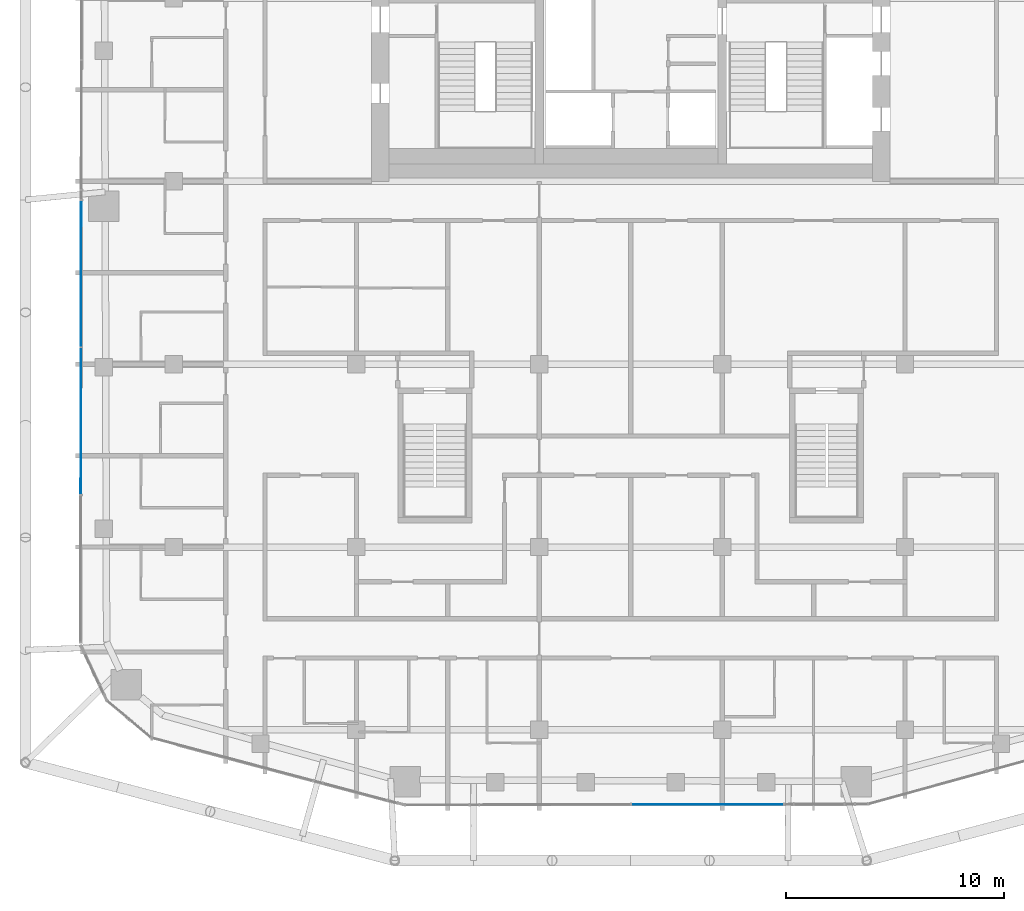
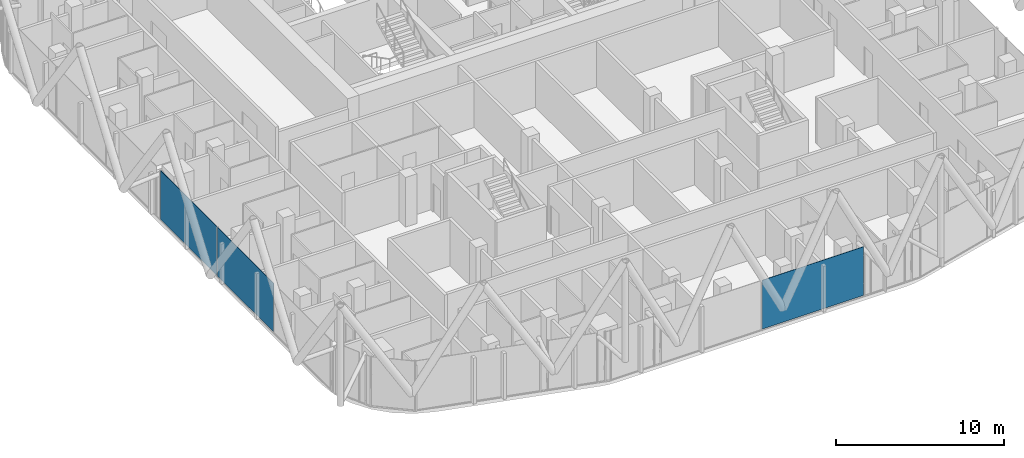
# One storey, part 15 of 31: 3 plates, 2 elements without a shape of their own.
"""IFC4 building model written with IfcOpenShell, lengths in metres."""

from ifc_helpers import new_model, si_unit, direction, frame, origin, origin_2d, place, context, subcontext, project, spatial, rectangle, extrude, material, layer, layer_set, type_object, element, aggregate, save


model = new_model("IFC4")

# Units and contexts
model_context = context("Model", 3, precision=1e-05, world=origin(), true_north=direction((0.0, 1.0)))
body_context = subcontext(model_context, "Body", "Model", "MODEL_VIEW")
ifc_project = project(units=[si_unit("LENGTHUNIT", "METRE"), si_unit("AREAUNIT", "SQUARE_METRE"), si_unit("VOLUMEUNIT", "CUBIC_METRE"), si_unit("PLANEANGLEUNIT", "RADIAN"), si_unit("MASSUNIT", "GRAM", prefix="KILO")], contexts=[model_context])

# Site, building, storey
site_placement = place(None, origin())
site = spatial("IfcSite", under=ifc_project, at=site_placement, CompositionType="ELEMENT")
building_placement = place(site_placement, origin())
building = spatial("IfcBuilding", under=site, at=building_placement, Name="Marenta Gate Hotel Tower", CompositionType="ELEMENT")
storey_placement = place(building_placement, frame((0.0, 0.0, 191.300048828125)))
storey = spatial("IfcBuildingStorey", under=building, at=storey_placement, Name="L43", CompositionType="ELEMENT", Elevation=191.300048828125)

# Curtain wall, plates
ifc_material_1 = material(Name="Tinted insulated glass in bronze anodised frame", Category="glass")
ifc_layer_1 = layer(ifc_material_1, 0.1201171875)
ifc_layer_set_1 = layer_set([ifc_layer_1], Name="Tinted insulated glass in bronze anodised frame")
curtain_wall_type = type_object("IfcCurtainWallType", Name="Tower unitised curtain wall CW1", PredefinedType="NOTDEFINED", material=ifc_layer_set_1)
curtain_wall_1_placement = place(storey_placement, origin())
curtain_wall_1 = element("IfcCurtainWall", 1, at=curtain_wall_1_placement, inside=storey, type_object=curtain_wall_type, Name="CW1 run G08", PredefinedType="NOTDEFINED")
ifc_material_2 = material(Name="Tinted insulated glass", Category="glass")
ifc_layer_2 = layer(ifc_material_2, 0.028076171875)
ifc_layer_set_2 = layer_set([ifc_layer_2], Name="Tinted insulated glass")
plate_type = type_object("IfcPlateType", Name="Glass panel CW1 28 mm tinted insulated unit", PredefinedType="CURTAIN_PANEL", material=ifc_layer_set_2)
plate_1_placement = place(storey_placement, frame((-25.246337890625, -4.238525390625, 0.059814453125), z_axis=(0.0, 0.0, 1.0), x_axis=(-0.001564651623, -0.999998775932, 0.0)))
plate_1 = element("IfcPlate", 2, at=plate_1_placement, type_object=plate_type, Name="CW1 panel 1.1", PredefinedType="CURTAIN_PANEL", context=body_context, shape_type="SweptSolid", body=[
    extrude(rectangle(XDim=6.7060546875, YDim=0.028076171875, at=origin_2d()), origin(), (0.0, 0.0, 1.0), 3.5400390625),
])
plate_2_placement = place(storey_placement, frame((-25.2568359375, -11.01953125, 0.059814453125), z_axis=(0.0, 0.0, 1.0), x_axis=(-0.001564651623, -0.999998775932, 0.0)))
plate_2 = element("IfcPlate", 3, at=plate_2_placement, type_object=plate_type, Name="CW1 panel 2.1", PredefinedType="CURTAIN_PANEL", context=body_context, shape_type="SweptSolid", body=[
    extrude(rectangle(XDim=6.736083984375, YDim=0.028076171875, at=origin_2d()), origin(), (0.0, 0.0, 1.0), 3.5400390625),
])
aggregate(curtain_wall_1, [plate_1, plate_2])

# Curtain wall, plate
curtain_wall_2_placement = place(storey_placement, origin())
curtain_wall_2 = element("IfcCurtainWall", 4, at=curtain_wall_2_placement, inside=storey, type_object=curtain_wall_type, Name="CW1 run G21", PredefinedType="NOTDEFINED")
plate_3_placement = place(storey_placement, frame((3.524658203125, -28.62451171875, 0.059814453125), z_axis=(0.0, 0.0, 1.0), x_axis=(0.99999866205, 0.001635817263, 0.0)))
plate_3 = element("IfcPlate", 5, at=plate_3_placement, type_object=plate_type, Name="CW1 panel 2.1", PredefinedType="CURTAIN_PANEL", context=body_context, shape_type="SweptSolid", body=[
    extrude(rectangle(XDim=6.969482421875, YDim=0.028076171875, at=origin_2d()), origin(), (0.0, 0.0, 1.0), 3.5400390625),
])
aggregate(curtain_wall_2, [plate_3])

save(model, "model.ifc")
